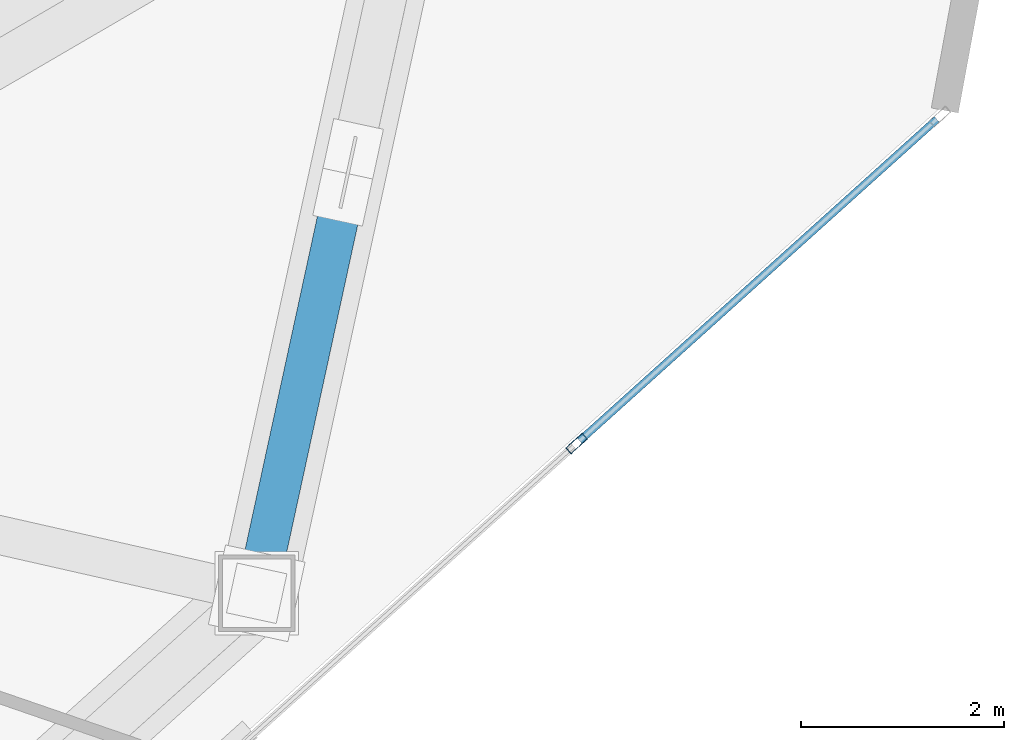
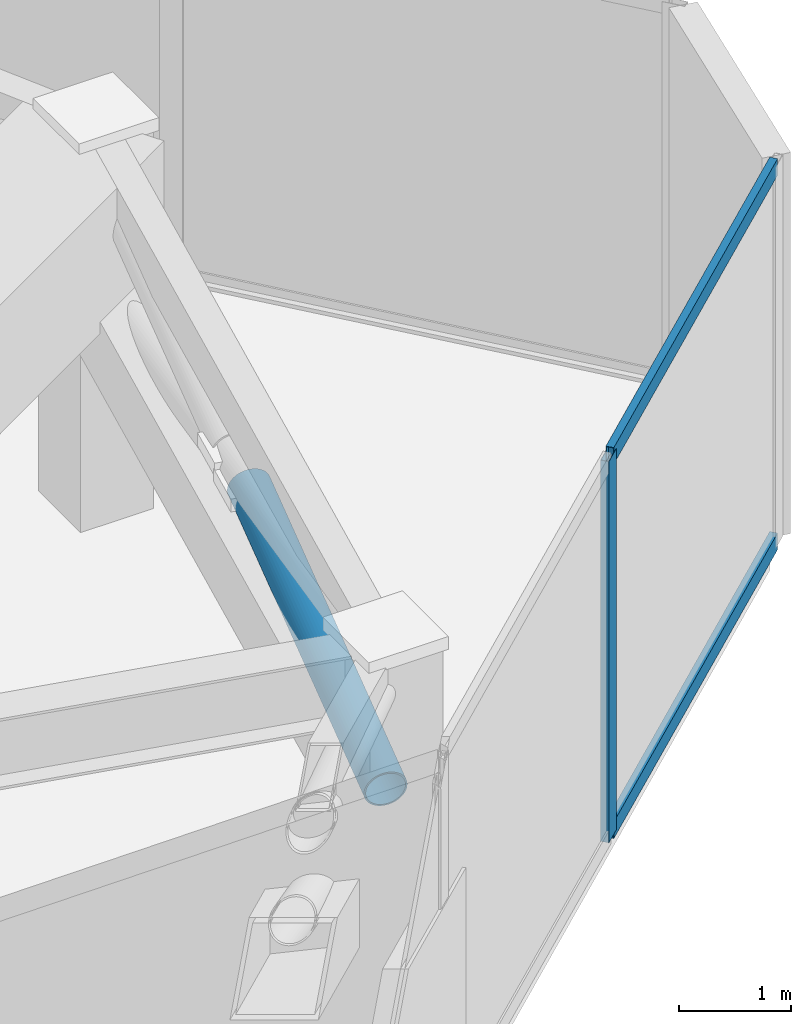
# One storey, part 11 of 25: 4 members, 1 element without a shape of its own.
"""IFC4 building model written with IfcOpenShell, lengths in metres."""

from ifc_helpers import new_model, si_unit, direction, frame, origin, origin_2d, place, context, subcontext, project, spatial, hollow_rectangle, hollow_circle, extrude, source, transform, mapped, material, layer, layer_set, material_profile, profile_set, type_object, type_shapes, element, aggregate, save


model = new_model("IFC4")

# Units and contexts
model_context = context("Model", 3, precision=1e-05, world=origin(), true_north=direction((0.0, 1.0)))
body_context = subcontext(model_context, "Body", "Model", "MODEL_VIEW")
ifc_project = project(units=[si_unit("LENGTHUNIT", "METRE"), si_unit("AREAUNIT", "SQUARE_METRE"), si_unit("VOLUMEUNIT", "CUBIC_METRE"), si_unit("PLANEANGLEUNIT", "RADIAN"), si_unit("MASSUNIT", "GRAM", prefix="KILO")], contexts=[model_context])

# Site, building, storey
site_placement = place(None, origin())
site = spatial("IfcSite", under=ifc_project, at=site_placement, CompositionType="ELEMENT")
building_placement = place(site_placement, origin())
building = spatial("IfcBuilding", under=site, at=building_placement, Name="Talar Marvaseh", CompositionType="ELEMENT")
storey_placement = place(building_placement, frame((0.0, 0.0, 84.800048828125)))
storey = spatial("IfcBuildingStorey", under=building, at=storey_placement, Name="L21", CompositionType="ELEMENT", Elevation=84.800048828125)

# Member
ifc_material_1 = material(Name="Steel S460", Category="steel")
ifc_material_profile_1 = material_profile(ifc_material_1, hollow_circle(Radius=0.203125, WallThickness=0.01611328125, at=origin_2d()), Name="CHS406x16")
ifc_profile_set_1 = profile_set([ifc_material_profile_1], Name="Steel S460")
member_type_1 = type_object("IfcMemberType", Name="Belt Truss Diagonal Brace CHS406x16", PredefinedType="BRACE", material=ifc_profile_set_1)
shared_shape_1 = source(origin(), body_context, "Body", "SweptSolid", [
    extrude(hollow_circle(Radius=0.203125, WallThickness=0.01611328125, at=origin_2d()), origin(), (0.0, 0.0, 1.0), 4.049072265625),
])
type_shapes(member_type_1, [shared_shape_1])
member_1_placement = place(storey_placement, frame((45.0439453125, 22.840087890625, 2.5), z_axis=(0.209462354279, 0.965070363439, 0.157368090002), x_axis=(-0.977246842948, 0.212105181332, 0.0)))
element("IfcMember", 1, at=member_1_placement, inside=storey, type_object=member_type_1, Name="L21 Belt Truss Split Diagonal Lower 2", PredefinedType="BRACE", context=body_context, shape_type="MappedRepresentation", body=[
    mapped(shared_shape_1, transform((0.0, 0.0, 0.0), x_axis=(1.0, 0.0, 0.0), y_axis=(0.0, 1.0, 0.0), z_axis=(0.0, 0.0, 1.0), scale=1.0)),
])

# Curtain wall, members
ifc_material_2 = material(Name="Architectural Aluminium", Category="aluminium")
ifc_layer = layer(ifc_material_2, 0.219970703125)
ifc_layer_set = layer_set([ifc_layer], Name="Architectural Aluminium")
curtain_wall_type = type_object("IfcCurtainWallType", Name="Unitised Low-E Museum Curtain Wall Z1", PredefinedType="NOTDEFINED", material=ifc_layer_set)
curtain_wall_placement = place(storey_placement, origin())
curtain_wall = element("IfcCurtainWall", 2, at=curtain_wall_placement, inside=storey, type_object=curtain_wall_type, Name="L21 Unitised Low-E Museum Curtain Wall Z1", PredefinedType="NOTDEFINED")
ifc_material_profile_2 = material_profile(ifc_material_2, hollow_rectangle(XDim=0.074951171875, YDim=0.179931640625, WallThickness=0.0048828125, at=origin_2d()), Name="RHS180x75x5")
ifc_profile_set_2 = profile_set([ifc_material_profile_2], Name="Architectural Aluminium")
member_type_2 = type_object("IfcMemberType", Name="Unitised Curtain Wall Transom RHS180x75x5", PredefinedType="USERDEFINED", material=ifc_profile_set_2)
shared_shape_2 = source(origin(), body_context, "Body", "SweptSolid", [
    extrude(hollow_rectangle(XDim=0.074951171875, YDim=0.179931640625, WallThickness=0.0048828125, at=origin_2d()), origin(), (0.0, 0.0, 1.0), 4.725341796875),
])
type_shapes(member_type_2, [shared_shape_2])
member_2_placement = place(storey_placement, frame((51.731689453125, 27.501220703125, 0.037353515625), z_axis=(-0.743253041178, -0.669010401099, 0.0), x_axis=(0.669010401099, -0.743253041178, 0.0)))
member_2 = element("IfcMember", 3, at=member_2_placement, type_object=member_type_2, Name="CW-Z1 transom 1.1", ObjectType="TRANSOM", PredefinedType="USERDEFINED", context=body_context, shape_type="MappedRepresentation", body=[
    mapped(shared_shape_2, transform((0.0, 0.0, 0.0), x_axis=(1.0, 0.0, 0.0), y_axis=(0.0, 1.0, 0.0), z_axis=(0.0, 0.0, 1.0), scale=1.0)),
])
member_3_placement = place(storey_placement, frame((51.731689453125, 27.501220703125, 4.112548828125), z_axis=(-0.743253041178, -0.669010401099, 0.0), x_axis=(0.669010401099, -0.743253041178, 0.0)))
member_3 = element("IfcMember", 4, at=member_3_placement, type_object=member_type_2, Name="CW-Z1 transom 1.2", ObjectType="TRANSOM", PredefinedType="USERDEFINED", context=body_context, shape_type="MappedRepresentation", body=[
    mapped(shared_shape_2, transform((0.0, 0.0, 0.0), x_axis=(1.0, 0.0, 0.0), y_axis=(0.0, 1.0, 0.0), z_axis=(0.0, 0.0, 1.0), scale=1.0)),
])
ifc_material_profile_3 = material_profile(ifc_material_2, hollow_rectangle(XDim=0.080078125, YDim=0.219970703125, WallThickness=0.0048828125, at=origin_2d()), Name="RHS220x80x5")
ifc_profile_set_3 = profile_set([ifc_material_profile_3], Name="Architectural Aluminium")
member_type_3 = type_object("IfcMemberType", Name="Unitised Curtain Wall Heavy Mullion RHS220x80x5", PredefinedType="MULLION", material=ifc_profile_set_3)
shared_shape_3 = source(origin(), body_context, "Body", "SweptSolid", [
    extrude(hollow_rectangle(XDim=0.080078125, YDim=0.219970703125, WallThickness=0.0048828125, at=origin_2d()), origin(), (0.0, 0.0, 1.0), 4.14990234375),
])
type_shapes(member_type_3, [shared_shape_3])
member_4_placement = place(storey_placement, frame((48.189697265625, 24.313232421875, 0.0), z_axis=(0.0, 0.0, 1.0), x_axis=(0.669016040785, -0.743247964796, 0.0)))
member_4 = element("IfcMember", 5, at=member_4_placement, type_object=member_type_3, Name="CW-Z1 mullion 2", PredefinedType="MULLION", context=body_context, shape_type="MappedRepresentation", body=[
    mapped(shared_shape_3, transform((0.0, 0.0, 0.0), x_axis=(1.0, 0.0, 0.0), y_axis=(0.0, 1.0, 0.0), z_axis=(0.0, 0.0, 1.0), scale=1.0)),
])
aggregate(curtain_wall, [member_4, member_2, member_3])

save(model, "model.ifc")
